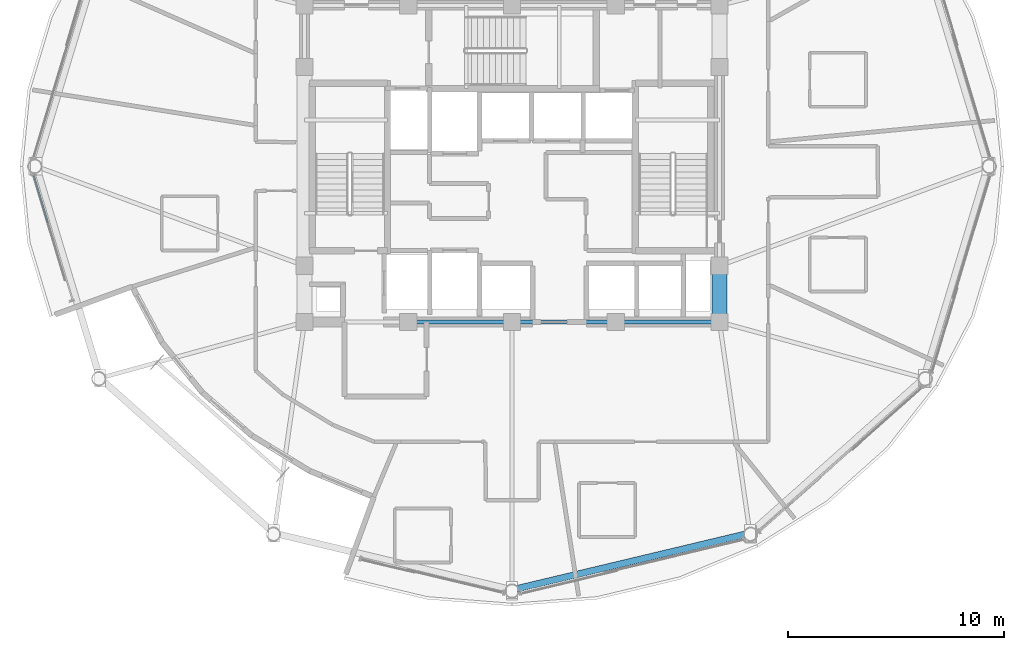
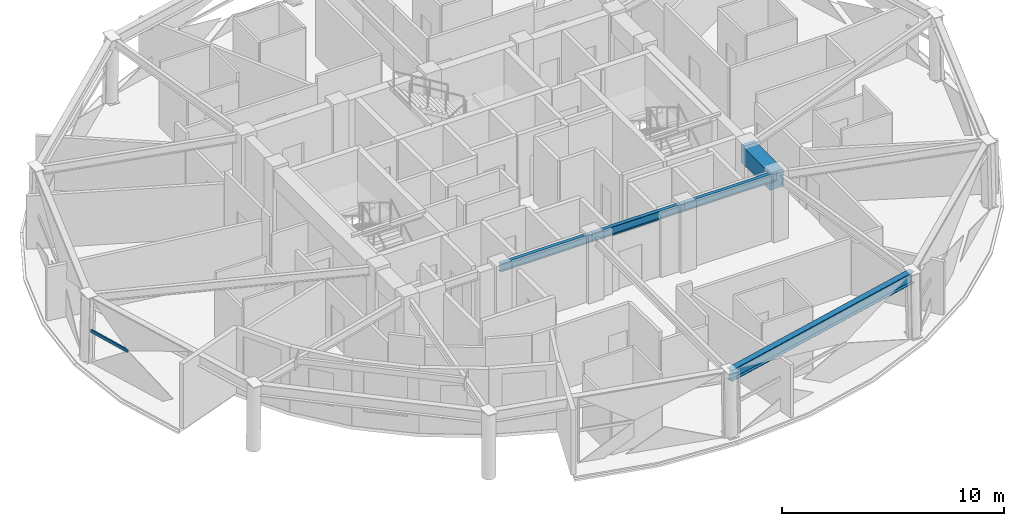
# One storey, part 3 of 18: 5 beams, 1 member, 1 element without a shape of its own.
"""IFC4 building model written with IfcOpenShell, lengths in metres."""

from ifc_helpers import new_model, si_unit, direction, frame, origin, origin_2d, place, context, subcontext, project, spatial, rectangle, hollow_rectangle, i_section, extrude, material, layer, layer_set, material_profile, profile_set, type_object, element, aggregate, save


model = new_model("IFC4")

# Units and contexts
model_context = context("Model", 3, precision=1e-05, world=origin(), true_north=direction((0.0, 1.0)))
body_context = subcontext(model_context, "Body", "Model", "MODEL_VIEW")
ifc_project = project(units=[si_unit("LENGTHUNIT", "METRE"), si_unit("AREAUNIT", "SQUARE_METRE"), si_unit("VOLUMEUNIT", "CUBIC_METRE"), si_unit("PLANEANGLEUNIT", "RADIAN"), si_unit("MASSUNIT", "GRAM", prefix="KILO")], contexts=[model_context])

# Site, building, storey
site_placement = place(None, origin())
site = spatial("IfcSite", under=ifc_project, at=site_placement, CompositionType="ELEMENT")
building_placement = place(site_placement, origin())
building = spatial("IfcBuilding", under=site, at=building_placement, Name="Vantalir Tower", CompositionType="ELEMENT")
storey_placement = place(building_placement, frame((0.0, 0.0, 216.14990234375)))
storey = spatial("IfcBuildingStorey", under=building, at=storey_placement, Name="L54", CompositionType="ELEMENT", Elevation=216.14990234375)

# Beams
ifc_material_1 = material(Name="Concrete C60/75", Category="concrete")
ifc_material_profile_1 = material_profile(ifc_material_1, rectangle(XDim=0.699951171875, YDim=0.949951171875, at=origin_2d()), Name="Concrete C60/75")
ifc_profile_set_1 = profile_set([ifc_material_profile_1], Name="Concrete C60/75")
beam_type_1 = type_object("IfcBeamType", Name="BM-CB-700x950", PredefinedType="USERDEFINED", material=ifc_profile_set_1)
beam_1_placement = place(storey_placement, frame((41.10009765625, 17.800048828125, 3.09521484375), z_axis=(0.0, 1.0, 0.0), x_axis=(-1.0, 0.0, 0.0)))
element("IfcBeam", 1, at=beam_1_placement, inside=storey, type_object=beam_type_1, Name="L54 Core Coupling Girder 05", ObjectType="GIRDER", PredefinedType="USERDEFINED", context=body_context, shape_type="SweptSolid", body=[
    extrude(rectangle(XDim=0.699951171875, YDim=0.949951171875, at=origin_2d()), origin(), (0.0, 0.0, 1.0), 2.599853515625),
])
ifc_material_2 = material(Name="Steel S355", Category="steel")
ifc_material_profile_2 = material_profile(ifc_material_2, i_section(OverallWidth=0.19189453125, OverallDepth=0.462890625, WebThickness=0.010498046875, FlangeThickness=0.017578125, at=origin_2d()), Name="Steel S355")
ifc_profile_set_2 = profile_set([ifc_material_profile_2], Name="Steel S355")
beam_type_2 = type_object("IfcBeamType", Name="BM-RB-457x191", PredefinedType="BEAM", material=ifc_profile_set_2)
for number, where, z_axis, x_axis, name in (
    (2, (26.699951171875, 17.800048828125, 3.338134765625), (1.0, 0.0, 0.0), (0.0, 1.0, 0.0), "L54 Core Coupling Girder 02"),
    (3, (31.5, 17.800048828125, 3.338134765625), (1.0, 0.0, 0.0), (0.0, 1.0, 0.0), "L54 Core Coupling Girder 03"),
    (4, (36.300048828125, 17.800048828125, 3.338134765625), (1.0, 0.0, 0.0), (0.0, 1.0, 0.0), "L54 Core Coupling Girder 04"),
):
    element("IfcBeam", number, at=place(storey_placement, frame(where, z_axis=z_axis, x_axis=x_axis)), inside=storey, type_object=beam_type_2, Name=name, PredefinedType="BEAM", context=body_context, shape_type="SweptSolid", body=[
        extrude(i_section(OverallWidth=0.19189453125, OverallDepth=0.462890625, WebThickness=0.010498046875, FlangeThickness=0.017578125, at=origin_2d()), origin(), (0.0, 0.0, 1.0), 4.800048828125),
    ])
ifc_material_3 = material(Name="Steel S460", Category="steel")
ifc_material_profile_3 = material_profile(ifc_material_3, i_section(OverallWidth=0.306884765625, OverallDepth=0.6201171875, WebThickness=0.01416015625, FlangeThickness=0.023681640625, at=origin_2d()), Name="Steel S460")
ifc_profile_set_3 = profile_set([ifc_material_profile_3], Name="Steel S460")
beam_type_3 = type_object("IfcBeamType", Name="BM-RG-610x305", PredefinedType="USERDEFINED", material=ifc_profile_set_3)
beam_2_placement = place(storey_placement, frame((31.5, 5.404052734375, 3.260009765625), z_axis=(0.972716546071, 0.231996812479, 0.0), x_axis=(-0.231996812479, 0.972716546071, 0.0)))
element("IfcBeam", 5, at=beam_2_placement, inside=storey, type_object=beam_type_3, Name="L54 Circumferential Ring Girder 10", ObjectType="GIRDER", PredefinedType="USERDEFINED", context=body_context, shape_type="SweptSolid", body=[
    extrude(i_section(OverallWidth=0.306884765625, OverallDepth=0.6201171875, WebThickness=0.01416015625, FlangeThickness=0.023681640625, at=origin_2d()), origin(), (0.0, 0.0, 1.0), 11.314697265625),
])

# Curtain wall, member
ifc_material_4 = material(Name="Champagne-silver PVDF aluminium and double-silver Low-E glass", Category="aluminium")
ifc_layer = layer(ifc_material_4, 0.2099609375)
ifc_layer_set = layer_set([ifc_layer], Name="Champagne-silver PVDF aluminium and double-silver Low-E glass")
curtain_wall_type = type_object("IfcCurtainWallType", Name="CW-DIAMOND-Z3", PredefinedType="USERDEFINED", material=ifc_layer_set)
curtain_wall_placement = place(storey_placement, origin())
curtain_wall = element("IfcCurtainWall", 6, at=curtain_wall_placement, inside=storey, type_object=curtain_wall_type, Name="L54 Quilted Pyramid-Diamond Curtain Wall S07", ObjectType="UNITISED CURTAIN WALL", PredefinedType="USERDEFINED")
ifc_material_5 = material(Name="Champagne-silver PVDF aluminium 6063-T6", Category="aluminium")
ifc_material_profile_4 = material_profile(ifc_material_5, hollow_rectangle(XDim=0.074951171875, YDim=0.159912109375, WallThickness=0.00390625, at=origin_2d()), Name="Champagne-silver PVDF aluminium 6063-T6")
ifc_profile_set_4 = profile_set([ifc_material_profile_4], Name="Champagne-silver PVDF aluminium 6063-T6")
member_type = type_object("IfcMemberType", Name="CWT-160x75", PredefinedType="USERDEFINED", material=ifc_profile_set_4)
member_placement = place(storey_placement, frame((9.3779296875, 24.60693359375, 1.78515625), z_axis=(0.278047792717, -0.960567241251, 0.0), x_axis=(0.960567241251, 0.278047792717, 0.0)))
member = element("IfcMember", 7, at=member_placement, type_object=member_type, Name="CW-L54-S07 Pyramid Fold Ridge Transom", ObjectType="TRANSOM", PredefinedType="USERDEFINED", context=body_context, shape_type="SweptSolid", body=[
    extrude(hollow_rectangle(XDim=0.074951171875, YDim=0.159912109375, WallThickness=0.00390625, at=origin_2d()), origin(), (0.0, 0.0, 1.0), 2.3056640625),
])
aggregate(curtain_wall, [member])

save(model, "model.ifc")
